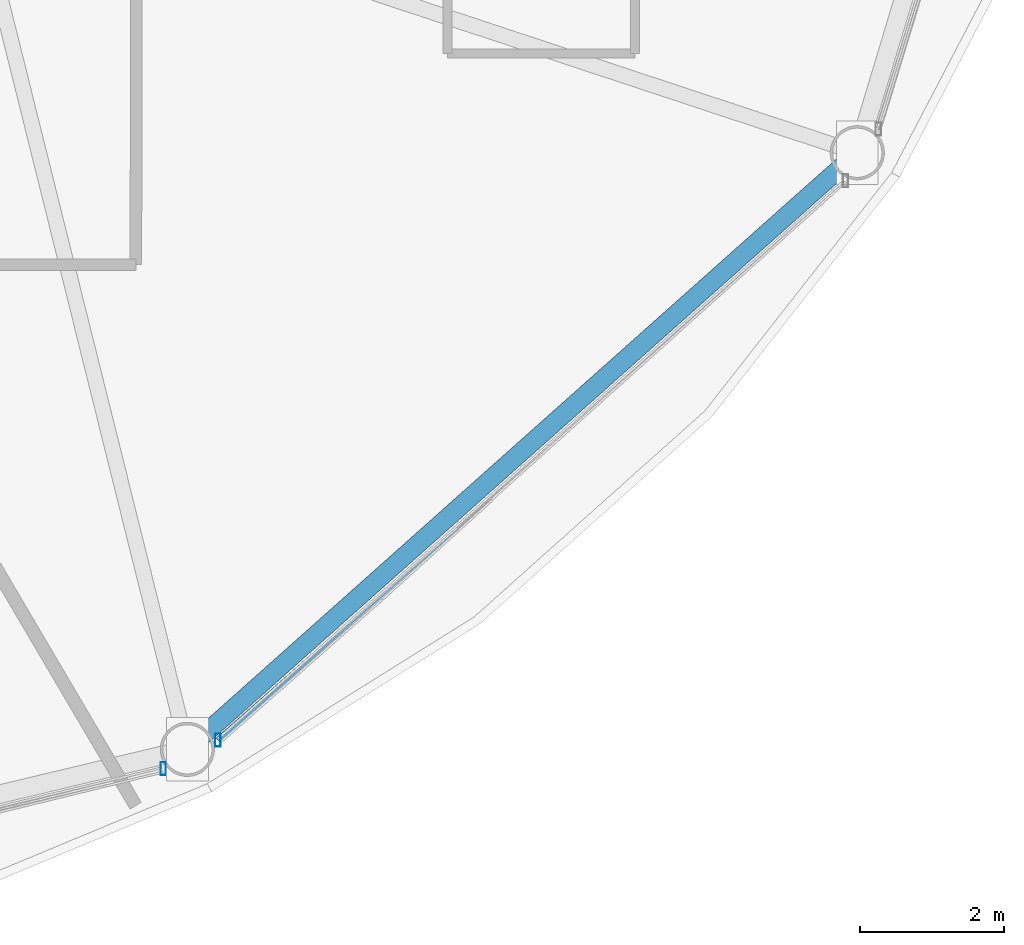
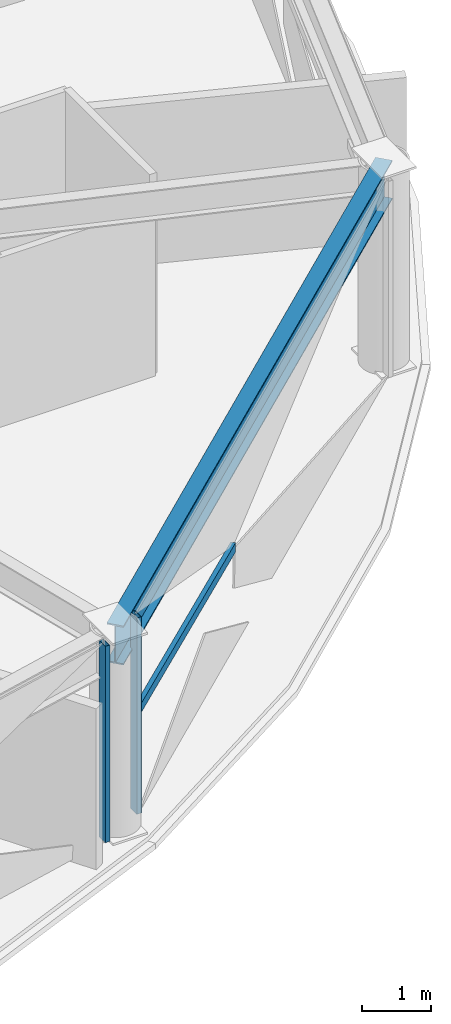
# One storey, part 9 of 31: 3 members, 1 beam, 2 elements without a shape of their own.
"""IFC4 building model written with IfcOpenShell, lengths in metres."""

import ifcopenshell
import ifcopenshell.guid

model = None  # the IFC model being written
_history = None  # IfcOwnerHistory: only IFC2X3 demands one
_inside = {}  # id of a spatial element -> (the spatial element, [elements in it])
_under = {}  # id of a project, library or spatial element -> (it, [spatial elements below it])
_declared = {}  # id of a project -> (the project, [libraries it declares])
_typed = {}  # id of a type object -> (the type object, [elements of that type])
_made_of = {}  # id of a material, layer set ... -> (it, [elements and type objects made of it])


def new_model(schema):
    """Start an empty IFC model of exactly this schema.

    Asked for "IFC4X3", IfcOpenShell would pick the latest addendum, in which some entities
    have other attributes; the version numbers below select the first issue.
    IFC2X3 requires an IfcOwnerHistory on every rooted entity: one is made here for all.
    """
    global model, _history
    if schema == "IFC4X3":
        model = ifcopenshell.file(schema_version=(4, 3, 0, 0))
    else:
        model = ifcopenshell.file(schema=schema)
    _inside.clear()
    _under.clear()
    _declared.clear()
    _typed.clear()
    _made_of.clear()
    _history = None
    if model.schema == "IFC2X3":
        org = make("IfcOrganization", Name="unknown")
        user = make(
            "IfcPersonAndOrganization",
            ThePerson=make("IfcPerson", FamilyName="unknown"),
            TheOrganization=org,
        )
        app = make(
            "IfcApplication",
            ApplicationDeveloper=org,
            Version="unknown",
            ApplicationFullName="unknown",
            ApplicationIdentifier="unknown",
        )
        _history = make(
            "IfcOwnerHistory",
            OwningUser=user,
            OwningApplication=app,
            ChangeAction="ADDED",
            CreationDate=0,
        )
    return model


def make(cls, **values):
    """One entity of the class cls with the attributes given. An attribute that is None is left unset."""
    return model.create_entity(
        cls, **{name: value for name, value in values.items() if value is not None}
    )


def rooted(cls, **values):
    """An entity with a GlobalId (a new one), such as an element, a storey or a relation."""
    return make(cls, GlobalId=ifcopenshell.guid.new(), OwnerHistory=_history, **values)


def si_unit(unit_type, name, prefix=None):
    """IfcSIUnit, for example si_unit("LENGTHUNIT", "METRE", prefix="MILLI")."""
    return make("IfcSIUnit", UnitType=unit_type, Prefix=prefix, Name=name)


def assignment(units):
    """IfcUnitAssignment: the units of a project."""
    return None if units is None else make("IfcUnitAssignment", Units=units)


def point(xyz):
    """IfcCartesianPoint."""
    return None if xyz is None else make("IfcCartesianPoint", Coordinates=xyz)


def direction(xyz):
    """IfcDirection."""
    return None if xyz is None else make("IfcDirection", DirectionRatios=xyz)


def frame(location, z_axis=None, x_axis=None):
    """IfcAxis2Placement3D, a coordinate frame: its origin and axes. An axis left out is left unset."""
    return make(
        "IfcAxis2Placement3D",
        Location=point(location),
        Axis=direction(z_axis),
        RefDirection=direction(x_axis),
    )


def frame_2d(location, x_axis=None):
    """IfcAxis2Placement2D, a coordinate frame in the plane: its origin and x axis."""
    return make(
        "IfcAxis2Placement2D", Location=point(location), RefDirection=direction(x_axis)
    )


def origin():
    """The frame at (0, 0, 0) with its axes left unset."""
    return frame((0.0, 0.0, 0.0))


def origin_2d():
    """The frame at (0, 0) in the plane with its x axis left unset."""
    return frame_2d((0.0, 0.0))


def place(relative_to, where):
    """IfcLocalPlacement: puts the frame where relative to a parent placement (None: the world)."""
    return make(
        "IfcLocalPlacement", PlacementRelTo=relative_to, RelativePlacement=where
    )


def context(
    kind, dimensions, precision=None, world=None, true_north=None, identifier=None
):
    """IfcGeometricRepresentationContext, for example the 3D "Model" context."""
    return make(
        "IfcGeometricRepresentationContext",
        ContextIdentifier=identifier,
        ContextType=kind,
        CoordinateSpaceDimension=dimensions,
        Precision=precision,
        WorldCoordinateSystem=world,
        TrueNorth=true_north,
    )


def subcontext(parent, identifier, kind, view, scale=None):
    """IfcGeometricRepresentationSubContext, for example "Body" below "Model"."""
    return make(
        "IfcGeometricRepresentationSubContext",
        ContextIdentifier=identifier,
        ContextType=kind,
        ParentContext=parent,
        TargetScale=scale,
        TargetView=view,
    )


def project(units=None, contexts=None):
    """IfcProject with its units and contexts."""
    return rooted(
        "IfcProject",
        Name="project",
        RepresentationContexts=contexts,
        UnitsInContext=assignment(units),
    )


def spatial(cls, under=None, at=None, **own):
    """A site, building, storey or space (cls), placed at a placement, below another one or the project."""
    s = rooted(cls, ObjectPlacement=at, **own)
    if under is not None:
        _under.setdefault(under.id(), (under, []))[1].append(s)
    return s


def profile(cls, at=None, kind="AREA", **sizes):
    """A parametric profile (cls). Its sizes go by their IFC names, for example OverallWidth=200.0."""
    return make(cls, ProfileType=kind, Position=at, **sizes)


def hollow_rectangle(**sizes):
    """IfcRectangleHollowProfileDef."""
    return profile("IfcRectangleHollowProfileDef", **sizes)


def i_section(**sizes):
    """IfcIShapeProfileDef."""
    return profile("IfcIShapeProfileDef", **sizes)


def extrude(swept, where, along, depth):
    """IfcExtrudedAreaSolid: the profile swept, set in the frame where, extruded along a direction by depth."""
    return make(
        "IfcExtrudedAreaSolid",
        SweptArea=swept,
        Position=where,
        ExtrudedDirection=direction(along),
        Depth=depth,
    )


def shape(context_of_items, identifier, shape_type, items):
    """IfcShapeRepresentation: the items that make up one representation, for example the "Body"."""
    return make(
        "IfcShapeRepresentation",
        ContextOfItems=context_of_items,
        RepresentationIdentifier=identifier,
        RepresentationType=shape_type,
        Items=items,
    )


def material(Name=None, Category=None):
    """IfcMaterial."""
    return make("IfcMaterial", Name=Name, Category=Category)


def layer(
    of_material, thickness, ventilated=None, Name=None, Category=None, Priority=None
):
    """IfcMaterialLayer: one layer of a wall or slab, of a material (None: an air gap)."""
    return make(
        "IfcMaterialLayer",
        Material=of_material,
        LayerThickness=thickness,
        IsVentilated=ventilated,
        Name=Name,
        Category=Category,
        Priority=Priority,
    )


def layer_set(layers, Name=None):
    """IfcMaterialLayerSet."""
    return make("IfcMaterialLayerSet", MaterialLayers=layers, LayerSetName=Name)


def material_profile(
    of_material, cross_section, Name=None, Category=None, Priority=None
):
    """IfcMaterialProfile: a cross section and its material."""
    return make(
        "IfcMaterialProfile",
        Name=Name,
        Material=of_material,
        Profile=cross_section,
        Priority=Priority,
        Category=Category,
    )


def profile_set(profiles, Name=None, composite=None):
    """IfcMaterialProfileSet."""
    return make(
        "IfcMaterialProfileSet",
        Name=Name,
        MaterialProfiles=profiles,
        CompositeProfile=composite,
    )


def made_of(thing, what):
    """Note that an element or type object is made of a material, layer set ...; save() writes the relation."""
    if what is not None:
        _made_of.setdefault(what.id(), (what, []))[1].append(thing)
    return thing


def type_object(cls, material=None, **own):
    """A type object (cls), such as IfcWallType, which elements share."""
    return made_of(rooted(cls, **own), material)


def element(
    cls,
    number,
    at=None,
    inside=None,
    cuts=None,
    type_object=None,
    material=None,
    context=None,
    identifier="Body",
    shape_type=None,
    held_by="IfcProductDefinitionShape",
    body=None,
    shapes=None,
    **own,
):
    """One element of the class cls, such as IfcWall. Its Tag is "e" and its number.

    at: its placement. inside: the storey or other place that contains it. cuts: it is an
    opening in that element (IfcRelVoidsElement). A single representation is given by context,
    identifier, shape_type and body (its items); several are given by shapes. held_by: the class
    of the entity that holds the representations. save() writes the other relations.
    """
    e = rooted(cls, Tag="e%d" % number, ObjectPlacement=at, **own)
    if body is not None:
        shapes = [shape(context, identifier, shape_type, body)]
    if shapes is not None:
        e.Representation = make(held_by, Representations=shapes)
    if inside is not None:
        _inside.setdefault(inside.id(), (inside, []))[1].append(e)
    if cuts is not None:
        rooted(
            "IfcRelVoidsElement", RelatingBuildingElement=cuts, RelatedOpeningElement=e
        )
    if type_object is not None:
        _typed.setdefault(type_object.id(), (type_object, []))[1].append(e)
    return made_of(e, material)


def aggregate(whole, parts):
    """IfcRelAggregates: a whole, such as a stair, and the parts it consists of."""
    return rooted("IfcRelAggregates", RelatingObject=whole, RelatedObjects=parts)


def save(model, path):
    """Write the relations noted so far, then the file.

    IfcRelAggregates (storeys below a building ...), IfcRelContainedInSpatialStructure (elements
    in a storey), IfcRelDefinesByType, IfcRelAssociatesMaterial and IfcRelDeclares: one each for
    every whole, place, type object, material and project.
    """
    for whole, parts in _under.values():
        aggregate(whole, parts)
    for where, things in _inside.values():
        rooted(
            "IfcRelContainedInSpatialStructure",
            RelatedElements=things,
            RelatingStructure=where,
        )
    for kind, things in _typed.values():
        rooted("IfcRelDefinesByType", RelatedObjects=things, RelatingType=kind)
    for what, things in _made_of.values():
        rooted("IfcRelAssociatesMaterial", RelatedObjects=things, RelatingMaterial=what)
    for by, libraries in _declared.values():
        rooted("IfcRelDeclares", RelatingContext=by, RelatedDefinitions=libraries)
    model.write(path)


model = new_model("IFC4")

# Units and contexts
model_context = context("Model", 3, precision=1e-05, world=origin(), true_north=direction((0.0, 1.0)))
body_context = subcontext(model_context, "Body", "Model", "MODEL_VIEW")
ifc_project = project(units=[si_unit("LENGTHUNIT", "METRE"), si_unit("AREAUNIT", "SQUARE_METRE"), si_unit("VOLUMEUNIT", "CUBIC_METRE"), si_unit("PLANEANGLEUNIT", "RADIAN"), si_unit("MASSUNIT", "GRAM", prefix="KILO")], contexts=[model_context])

# Site, building, storey
site_placement = place(None, origin())
site = spatial("IfcSite", under=ifc_project, at=site_placement, CompositionType="ELEMENT")
building_placement = place(site_placement, origin())
building = spatial("IfcBuilding", under=site, at=building_placement, Name="Vantalir Tower", CompositionType="ELEMENT")
storey_placement = place(building_placement, frame((0.0, 0.0, 115.949951171875)))
storey = spatial("IfcBuildingStorey", under=building, at=storey_placement, Name="L28", CompositionType="ELEMENT", Elevation=115.949951171875)

# Beam
ifc_material_1 = material(Name="Steel S460", Category="steel")
ifc_material_profile_1 = material_profile(ifc_material_1, i_section(OverallWidth=0.256103515625, OverallDepth=0.693115234375, WebThickness=0.014404296875, FlangeThickness=0.023681640625, at=origin_2d()), Name="Steel S460")
ifc_profile_set_1 = profile_set([ifc_material_profile_1], Name="Steel S460")
beam_type = type_object("IfcBeamType", Name="BM-RG-686x254", PredefinedType="USERDEFINED", material=ifc_profile_set_1)
beam_placement = place(storey_placement, frame((44.169921875, 5.45703125, 3.22314453125), z_axis=(0.746791899704, 0.665057785862, 0.0), x_axis=(-0.665057785862, 0.746791899704, 0.0)))
element("IfcBeam", 1, at=beam_placement, inside=storey, type_object=beam_type, Name="L28 Circumferential Ring Girder 11", ObjectType="GIRDER", PredefinedType="USERDEFINED", context=body_context, shape_type="SweptSolid", body=[
    extrude(i_section(OverallWidth=0.256103515625, OverallDepth=0.693115234375, WebThickness=0.014404296875, FlangeThickness=0.023681640625, at=origin_2d()), origin(), (0.0, 0.0, 1.0), 12.419921875),
])

# Curtain wall, member
ifc_material_2 = material(Name="Champagne-silver PVDF aluminium and double-silver Low-E glass", Category="aluminium")
ifc_layer = layer(ifc_material_2, 0.199951171875)
ifc_layer_set = layer_set([ifc_layer], Name="Champagne-silver PVDF aluminium and double-silver Low-E glass")
curtain_wall_type = type_object("IfcCurtainWallType", Name="CW-DIAMOND-Z2", PredefinedType="USERDEFINED", material=ifc_layer_set)
curtain_wall_1_placement = place(storey_placement, origin())
curtain_wall_1 = element("IfcCurtainWall", 2, at=curtain_wall_1_placement, inside=storey, type_object=curtain_wall_type, Name="L28 Quilted Pyramid-Diamond Curtain Wall S10", ObjectType="UNITISED CURTAIN WALL", PredefinedType="USERDEFINED")
ifc_material_3 = material(Name="Champagne-silver PVDF aluminium 6063-T6", Category="aluminium")
ifc_material_profile_2 = material_profile(ifc_material_3, hollow_rectangle(XDim=0.074951171875, YDim=0.179931640625, WallThickness=0.00390625, at=origin_2d()), Name="Champagne-silver PVDF aluminium 6063-T6")
ifc_profile_set_2 = profile_set([ifc_material_profile_2], Name="Champagne-silver PVDF aluminium 6063-T6")
member_type_1 = type_object("IfcMemberType", Name="CWM-180x75", PredefinedType="MULLION", material=ifc_profile_set_2)
member_1_placement = place(storey_placement, frame((43.8369140625, 5.19091796875, 0.045166015625), z_axis=(0.0, 0.0, 1.0), x_axis=(1.0, 0.0, 0.0)))
member_1 = element("IfcMember", 3, at=member_1_placement, type_object=member_type_1, Name="CW-L28-S10 Mullion 2", PredefinedType="MULLION", context=body_context, shape_type="SweptSolid", body=[
    extrude(hollow_rectangle(XDim=0.074951171875, YDim=0.179931640625, WallThickness=0.00390625, at=origin_2d()), origin(), (0.0, 0.0, 1.0), 3.47998046875),
])
aggregate(curtain_wall_1, [member_1])

# Curtain wall, members
curtain_wall_2_placement = place(storey_placement, origin())
curtain_wall_2 = element("IfcCurtainWall", 4, at=curtain_wall_2_placement, inside=storey, type_object=curtain_wall_type, Name="L28 Quilted Pyramid-Diamond Curtain Wall S11", ObjectType="UNITISED CURTAIN WALL", PredefinedType="USERDEFINED")
member_2_placement = place(storey_placement, frame((44.593017578125, 5.5859375, 0.045166015625), z_axis=(0.0, 0.0, 1.0), x_axis=(1.0, 0.0, 0.0)))
member_2 = element("IfcMember", 5, at=member_2_placement, type_object=member_type_1, Name="CW-L28-S11 Mullion 1", PredefinedType="MULLION", context=body_context, shape_type="SweptSolid", body=[
    extrude(hollow_rectangle(XDim=0.074951171875, YDim=0.179931640625, WallThickness=0.00390625, at=origin_2d()), origin(), (0.0, 0.0, 1.0), 3.47998046875),
])
ifc_material_profile_3 = material_profile(ifc_material_3, hollow_rectangle(XDim=0.074951171875, YDim=0.159912109375, WallThickness=0.00390625, at=origin_2d()), Name="Champagne-silver PVDF aluminium 6063-T6")
ifc_profile_set_3 = profile_set([ifc_material_profile_3], Name="Champagne-silver PVDF aluminium 6063-T6")
member_type_2 = type_object("IfcMemberType", Name="CWT-160x75", PredefinedType="USERDEFINED", material=ifc_profile_set_3)
member_3_placement = place(storey_placement, frame((44.593017578125, 5.5859375, 1.78515625), z_axis=(0.750237110552, 0.661168872491, 0.0), x_axis=(-0.661168872491, 0.750237110552, 0.0)))
member_3 = element("IfcMember", 6, at=member_3_placement, type_object=member_type_2, Name="CW-L28-S11 Pyramid Fold Ridge Transom", ObjectType="TRANSOM", PredefinedType="USERDEFINED", context=body_context, shape_type="SweptSolid", body=[
    extrude(hollow_rectangle(XDim=0.074951171875, YDim=0.159912109375, WallThickness=0.00390625, at=origin_2d()), origin(), (0.0, 0.0, 1.0), 4.424072265625),
])
aggregate(curtain_wall_2, [member_2, member_3])

save(model, "model.ifc")
